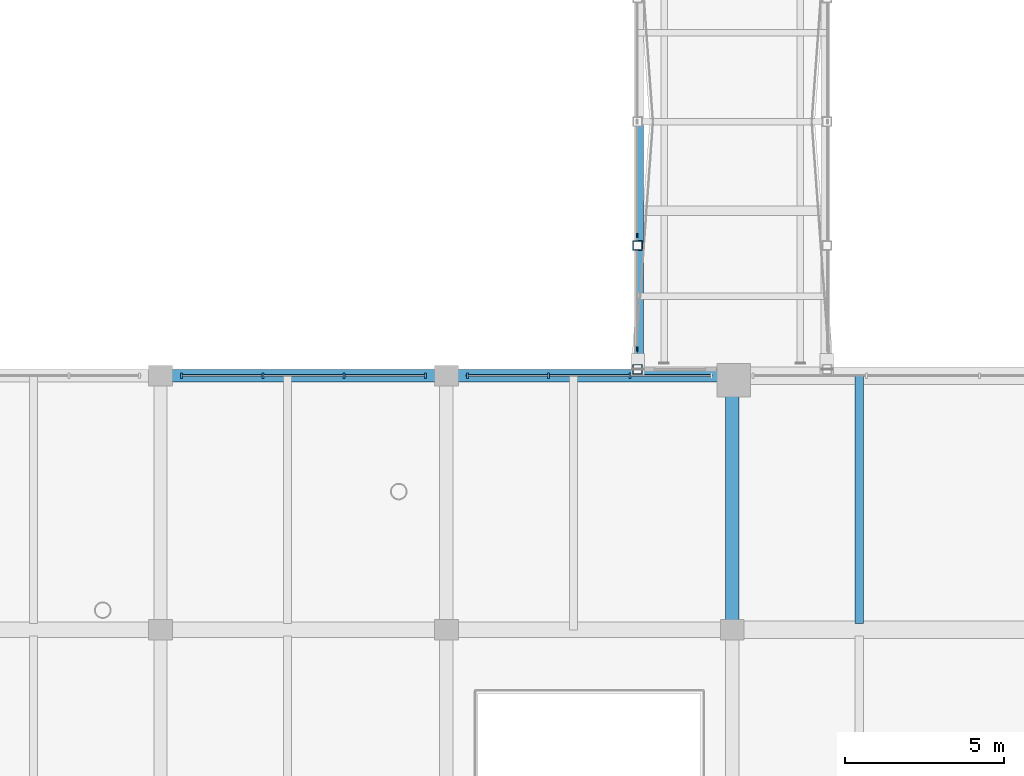
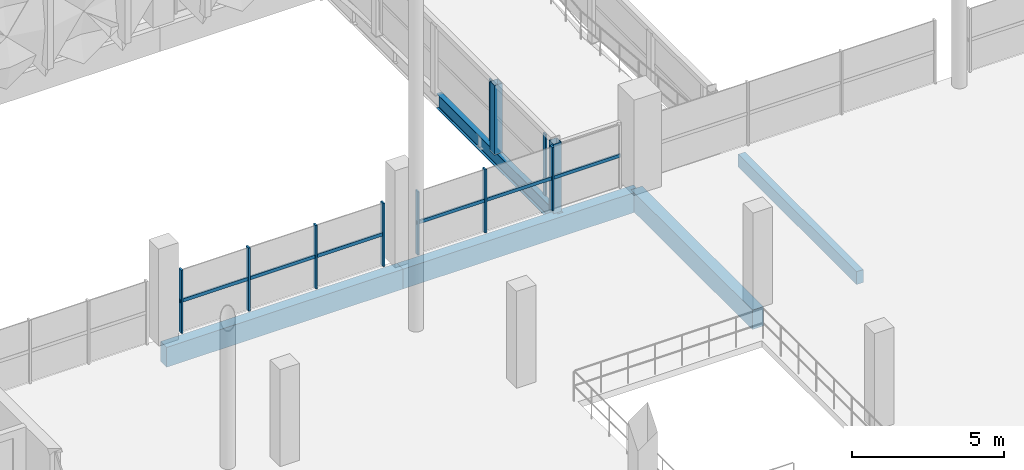
# One storey, part 32 of 123: 13 members, 5 beams, 3 elements without a shape of their own.
"""IFC4 building model written with IfcOpenShell, lengths in metres."""

from ifc_helpers import new_model, si_unit, derived_unit, direction, frame, origin, origin_2d, place, context, subcontext, project, spatial, rectangle, hollow_rectangle, i_section, extrude, material, layer, layer_set, material_profile, profile_set, type_object, element, aggregate, save


model = new_model("IFC4")

# Units and contexts
model_context = context("Model", 3, precision=1e-05, world=origin(), true_north=direction((0.0, 1.0)))
body_context = subcontext(model_context, "Body", "Model", "MODEL_VIEW")
ifc_project = project(units=[si_unit("LENGTHUNIT", "METRE"), si_unit("AREAUNIT", "SQUARE_METRE"), si_unit("VOLUMEUNIT", "CUBIC_METRE"), si_unit("PLANEANGLEUNIT", "RADIAN"), si_unit("MASSUNIT", "GRAM", prefix="KILO"), si_unit("THERMODYNAMICTEMPERATUREUNIT", "KELVIN"), derived_unit("THERMALTRANSMITTANCEUNIT", [(si_unit("POWERUNIT", "WATT"), 1), (si_unit("AREAUNIT", "SQUARE_METRE"), -1), (si_unit("THERMODYNAMICTEMPERATUREUNIT", "KELVIN"), -1)])], contexts=[model_context])

# Site, building, storey
site_placement = place(None, origin())
site = spatial("IfcSite", under=ifc_project, at=site_placement, CompositionType="ELEMENT")
building_placement = place(site_placement, origin())
building = spatial("IfcBuilding", under=site, at=building_placement, Name="Haiyu Intermodal Mobility Hub", CompositionType="ELEMENT")
storey_placement = place(building_placement, frame((0.0, 0.0, 5.60009765625)))
storey = spatial("IfcBuildingStorey", under=building, at=storey_placement, Name="L01", CompositionType="ELEMENT", Elevation=5.60009765625)

# Beams
ifc_material_1 = material(Name="Concrete C40", Category="concrete")
ifc_material_profile_1 = material_profile(ifc_material_1, rectangle(XDim=0.39990234375, YDim=0.800048828125, at=origin_2d()), Name="RCB400x800")
ifc_profile_set_1 = profile_set([ifc_material_profile_1], Name="Concrete C40")
beam_type_1 = type_object("IfcBeamType", Name="BM-CB05", PredefinedType="BEAM", material=ifc_profile_set_1)
for number, where, z_axis, x_axis, name in (
    (1, (78.0, 88.0, -0.66015625), (1.0, 0.0, 0.0), (0.0, 1.0, 0.0), "BM-V1G-L01-033"),
    (2, (87.0, 88.0, -0.66015625), (1.0, 0.0, 0.0), (0.0, 1.0, 0.0), "BM-V1G-L01-034"),
):
    element("IfcBeam", number, at=place(storey_placement, frame(where, z_axis=z_axis, x_axis=x_axis)), inside=storey, type_object=beam_type_1, Name=name, PredefinedType="BEAM", context=body_context, shape_type="SweptSolid", body=[
        extrude(rectangle(XDim=0.39990234375, YDim=0.800048828125, at=origin_2d()), origin(), (0.0, 0.0, 1.0), 9.0),
    ])
ifc_material_profile_2 = material_profile(ifc_material_1, rectangle(XDim=0.419921875, YDim=0.780029296875, at=origin_2d()), Name="B420x780")
ifc_profile_set_2 = profile_set([ifc_material_profile_2], Name="Concrete C40")
beam_type_2 = type_object("IfcBeamType", Name="BM-CB14", PredefinedType="BEAM", material=ifc_profile_set_2)
beam_1_placement = place(storey_placement, frame((96.0, 80.0, -0.650146484375), z_axis=(0.0, 1.0, 0.0), x_axis=(-1.0, 0.0, 0.0)))
element("IfcBeam", 3, at=beam_1_placement, inside=storey, type_object=beam_type_2, Name="BM-V1T-L01-015", PredefinedType="BEAM", context=body_context, shape_type="SweptSolid", body=[
    extrude(rectangle(XDim=0.419921875, YDim=0.780029296875, at=origin_2d()), origin(), (0.0, 0.0, 1.0), 8.0),
])
ifc_material_profile_3 = material_profile(ifc_material_1, rectangle(XDim=0.260009765625, YDim=0.52001953125, at=origin_2d()), Name="B260x520")
ifc_profile_set_3 = profile_set([ifc_material_profile_3], Name="Concrete C40")
beam_type_3 = type_object("IfcBeamType", Name="BM-CB18", PredefinedType="JOIST", material=ifc_profile_set_3)
beam_2_placement = place(storey_placement, frame((100.0, 80.195068359375, -0.52001953125), z_axis=(0.0, 1.0, 0.0), x_axis=(-1.0, 0.0, 0.0)))
element("IfcBeam", 4, at=beam_2_placement, inside=storey, type_object=beam_type_3, Name="BM-V1J-L01-015", PredefinedType="JOIST", context=body_context, shape_type="SweptSolid", body=[
    extrude(rectangle(XDim=0.260009765625, YDim=0.52001953125, at=origin_2d()), origin(), (0.0, 0.0, 1.0), 7.804931640625),
])
ifc_material_2 = material(Name="Steel Q355C", Category="steel")
ifc_material_profile_4 = material_profile(ifc_material_2, i_section(OverallWidth=0.199951171875, OverallDepth=0.60009765625, WebThickness=0.010986328125, FlangeThickness=0.01708984375, FilletRadius=0.02197265625, at=origin_2d()), Name="HN600x200x11x17")
ifc_profile_set_4 = profile_set([ifc_material_profile_4], Name="Steel Q355C")
beam_type_4 = type_object("IfcBeamType", Name="BM-SB04-EXT", PredefinedType="BEAM", material=ifc_profile_set_4)
beam_3_placement = place(storey_placement, frame((93.10009765625, 88.0, -0.56005859375), z_axis=(0.0, 1.0, 0.0), x_axis=(-1.0, 0.0, 0.0)))
element("IfcBeam", 5, at=beam_3_placement, inside=storey, type_object=beam_type_4, Name="BM-BRG-L01-002", PredefinedType="BEAM", context=body_context, shape_type="SweptSolid", body=[
    extrude(i_section(OverallWidth=0.199951171875, OverallDepth=0.60009765625, WebThickness=0.010986328125, FlangeThickness=0.01708984375, FilletRadius=0.02197265625, at=origin_2d()), origin(), (0.0, 0.0, 1.0), 8.0),
])

# Curtain wall, members
ifc_material_3 = material(Name="Low-e laminated insulating glass", Category="glass")
ifc_layer_1 = layer(ifc_material_3, 0.25)
ifc_layer_set_1 = layer_set([ifc_layer_1], Name="Low-e laminated insulating glass")
curtain_wall_type_1 = type_object("IfcCurtainWallType", Name="CW-CW02", PredefinedType="NOTDEFINED", material=ifc_layer_set_1)
curtain_wall_1_placement = place(storey_placement, origin())
curtain_wall_1 = element("IfcCurtainWall", 6, at=curtain_wall_1_placement, inside=storey, type_object=curtain_wall_type_1, Name="Curtain Wall CW-V1N-L01-023", PredefinedType="NOTDEFINED")
ifc_material_4 = material(Name="Anodised aluminium 6063-T6", Category="aluminium")
ifc_material_profile_5 = material_profile(ifc_material_4, rectangle(XDim=0.06494140625, YDim=0.1650390625, at=origin_2d()), Name="ALU65x165")
ifc_profile_set_5 = profile_set([ifc_material_profile_5], Name="Anodised aluminium 6063-T6")
member_type_1 = type_object("IfcMemberType", Name="CWM-ML02", PredefinedType="MULLION", material=ifc_profile_set_5)
member_1_placement = place(storey_placement, frame((86.340087890625, 88.0, 0.0), z_axis=(0.0, 0.0, 1.0), x_axis=(1.0, 0.0, 0.0)))
member_1 = element("IfcMember", 7, at=member_1_placement, type_object=member_type_1, Name="CW-V1N-L01-023-ML01", PredefinedType="MULLION", context=body_context, shape_type="SweptSolid", body=[
    extrude(rectangle(XDim=0.06494140625, YDim=0.1650390625, at=origin_2d()), origin(), (0.0, 0.0, 1.0), 2.5498046875),
])
member_2_placement = place(storey_placement, frame((83.780029296875, 88.0, 0.0), z_axis=(0.0, 0.0, 1.0), x_axis=(1.0, 0.0, 0.0)))
member_2 = element("IfcMember", 8, at=member_2_placement, type_object=member_type_1, Name="CW-V1N-L01-023-ML02", PredefinedType="MULLION", context=body_context, shape_type="SweptSolid", body=[
    extrude(rectangle(XDim=0.06494140625, YDim=0.1650390625, at=origin_2d()), origin(), (0.0, 0.0, 1.0), 2.5498046875),
])
member_3_placement = place(storey_placement, frame((81.219970703125, 88.0, 0.0), z_axis=(0.0, 0.0, 1.0), x_axis=(1.0, 0.0, 0.0)))
member_3 = element("IfcMember", 9, at=member_3_placement, type_object=member_type_1, Name="CW-V1N-L01-023-ML03", PredefinedType="MULLION", context=body_context, shape_type="SweptSolid", body=[
    extrude(rectangle(XDim=0.06494140625, YDim=0.1650390625, at=origin_2d()), origin(), (0.0, 0.0, 1.0), 2.5498046875),
])
member_4_placement = place(storey_placement, frame((78.659912109375, 88.0, 0.0), z_axis=(0.0, 0.0, 1.0), x_axis=(1.0, 0.0, 0.0)))
member_4 = element("IfcMember", 10, at=member_4_placement, type_object=member_type_1, Name="CW-V1N-L01-023-ML04", PredefinedType="MULLION", context=body_context, shape_type="SweptSolid", body=[
    extrude(rectangle(XDim=0.06494140625, YDim=0.1650390625, at=origin_2d()), origin(), (0.0, 0.0, 1.0), 2.5498046875),
])

curtain_wall_2_placement = place(storey_placement, origin())
curtain_wall_2 = element("IfcCurtainWall", 11, at=curtain_wall_2_placement, inside=storey, type_object=curtain_wall_type_1, Name="Curtain Wall CW-V1N-L01-024", PredefinedType="NOTDEFINED")
member_5_placement = place(storey_placement, frame((92.780029296875, 88.0, 0.0), z_axis=(0.0, 0.0, 1.0), x_axis=(1.0, 0.0, 0.0)))
member_5 = element("IfcMember", 12, at=member_5_placement, type_object=member_type_1, Name="CW-V1N-L01-024-ML02", PredefinedType="MULLION", context=body_context, shape_type="SweptSolid", body=[
    extrude(rectangle(XDim=0.06494140625, YDim=0.1650390625, at=origin_2d()), origin(), (0.0, 0.0, 1.0), 2.5498046875),
])
member_6_placement = place(storey_placement, frame((90.219970703125, 88.0, 0.0), z_axis=(0.0, 0.0, 1.0), x_axis=(1.0, 0.0, 0.0)))
member_6 = element("IfcMember", 13, at=member_6_placement, type_object=member_type_1, Name="CW-V1N-L01-024-ML03", PredefinedType="MULLION", context=body_context, shape_type="SweptSolid", body=[
    extrude(rectangle(XDim=0.06494140625, YDim=0.1650390625, at=origin_2d()), origin(), (0.0, 0.0, 1.0), 2.5498046875),
])
member_7_placement = place(storey_placement, frame((87.659912109375, 88.0, 0.0), z_axis=(0.0, 0.0, 1.0), x_axis=(1.0, 0.0, 0.0)))
member_7 = element("IfcMember", 14, at=member_7_placement, type_object=member_type_1, Name="CW-V1N-L01-024-ML04", PredefinedType="MULLION", context=body_context, shape_type="SweptSolid", body=[
    extrude(rectangle(XDim=0.06494140625, YDim=0.1650390625, at=origin_2d()), origin(), (0.0, 0.0, 1.0), 2.5498046875),
])

ifc_layer_2 = layer(ifc_material_3, 0.2099609375)
ifc_layer_set_2 = layer_set([ifc_layer_2], Name="Low-e laminated insulating glass")
curtain_wall_type_2 = type_object("IfcCurtainWallType", Name="CW-CW04", PredefinedType="NOTDEFINED", material=ifc_layer_set_2)
curtain_wall_3_placement = place(storey_placement, origin())
curtain_wall_3 = element("IfcCurtainWall", 15, at=curtain_wall_3_placement, inside=storey, type_object=curtain_wall_type_2, Name="Curtain Wall CW-BRG-BWW-L01-080", PredefinedType="NOTDEFINED")
ifc_material_profile_6 = material_profile(ifc_material_4, rectangle(XDim=0.06005859375, YDim=0.14501953125, at=origin_2d()), Name="ALU60x145")
ifc_profile_set_6 = profile_set([ifc_material_profile_6], Name="Anodised aluminium 6063-T6")
member_type_2 = type_object("IfcMemberType", Name="CWM-ML03", PredefinedType="MULLION", material=ifc_profile_set_6)
member_8_placement = place(storey_placement, frame((93.0, 88.840087890625, 0.0), z_axis=(0.0, 0.0, 1.0), x_axis=(1.0, 0.0, 0.0)))
member_8 = element("IfcMember", 16, at=member_8_placement, type_object=member_type_2, Name="CW-BRG-BWW-L01-080-ML01", PredefinedType="MULLION", context=body_context, shape_type="SweptSolid", body=[
    extrude(rectangle(XDim=0.06005859375, YDim=0.14501953125, at=origin_2d()), origin(), (0.0, 0.0, 1.0), 2.47998046875),
])
member_9_placement = place(storey_placement, frame((93.0, 92.419921875, 0.0), z_axis=(0.0, 0.0, 1.0), x_axis=(1.0, 0.0, 0.0)))
member_9 = element("IfcMember", 17, at=member_9_placement, type_object=member_type_2, Name="CW-BRG-BWW-L01-080-ML02", PredefinedType="MULLION", context=body_context, shape_type="SweptSolid", body=[
    extrude(rectangle(XDim=0.06005859375, YDim=0.14501953125, at=origin_2d()), origin(), (0.0, 0.0, 1.0), 2.47998046875),
])
aggregate(curtain_wall_3, [member_8, member_9])

# Member
ifc_material_profile_7 = material_profile(ifc_material_4, rectangle(XDim=0.06494140625, YDim=0.135009765625, at=origin_2d()), Name="ALU65x135")
ifc_profile_set_7 = profile_set([ifc_material_profile_7], Name="Anodised aluminium 6063-T6")
member_type_3 = type_object("IfcMemberType", Name="CWM-TR02", PredefinedType="USERDEFINED", material=ifc_profile_set_7)
member_10_placement = place(storey_placement, frame((86.3798828125, 88.0, 1.27490234375), z_axis=(-1.0, 0.0, 0.0), x_axis=(0.0, -1.0, 0.0)))
member_10 = element("IfcMember", 18, at=member_10_placement, type_object=member_type_3, Name="CW-V1N-L01-023-TR01", ObjectType="TRANSOM", PredefinedType="USERDEFINED", context=body_context, shape_type="SweptSolid", body=[
    extrude(rectangle(XDim=0.06494140625, YDim=0.135009765625, at=origin_2d()), origin(), (0.0, 0.0, 1.0), 7.759765625),
])

aggregate(curtain_wall_1, [member_1, member_2, member_3, member_4, member_10])

member_11_placement = place(storey_placement, frame((95.3798828125, 88.0, 1.27490234375), z_axis=(-1.0, 0.0, 0.0), x_axis=(0.0, -1.0, 0.0)))
member_11 = element("IfcMember", 19, at=member_11_placement, type_object=member_type_3, Name="CW-V1N-L01-024-TR01", ObjectType="TRANSOM", PredefinedType="USERDEFINED", context=body_context, shape_type="SweptSolid", body=[
    extrude(rectangle(XDim=0.06494140625, YDim=0.135009765625, at=origin_2d()), origin(), (0.0, 0.0, 1.0), 7.759765625),
])

aggregate(curtain_wall_2, [member_5, member_6, member_7, member_11])

# Members
ifc_material_profile_8 = material_profile(ifc_material_2, hollow_rectangle(XDim=0.300048828125, YDim=0.300048828125, WallThickness=0.011962890625, at=origin_2d()), Name="SHS300x300x12")
ifc_profile_set_8 = profile_set([ifc_material_profile_8], Name="Steel Q355C")
member_type_4 = type_object("IfcMemberType", Name="MEM-BR04", PredefinedType="BRACE", material=ifc_profile_set_8)
for number, where, z_axis, x_axis, name in (
    (20, (93.02001953125, 88.199951171875, -0.239990234375), (0.0, 0.0, 1.0), (1.0, 0.0, 0.0), "Bridge Vierendeel Frame Post BWW-1"),
    (21, (93.02001953125, 92.10009765625, -0.239990234375), (0.0, 0.0, 1.0), (1.0, 0.0, 0.0), "Bridge Vierendeel Frame Post BWW-2"),
):
    element("IfcMember", number, at=place(storey_placement, frame(where, z_axis=z_axis, x_axis=x_axis)), inside=storey, type_object=member_type_4, Name=name, PredefinedType="BRACE", context=body_context, shape_type="SweptSolid", body=[
        extrude(hollow_rectangle(XDim=0.300048828125, YDim=0.300048828125, WallThickness=0.011962890625, at=origin_2d()), origin(), (0.0, 0.0, 1.0), 2.789794921875),
    ])

save(model, "model.ifc")
